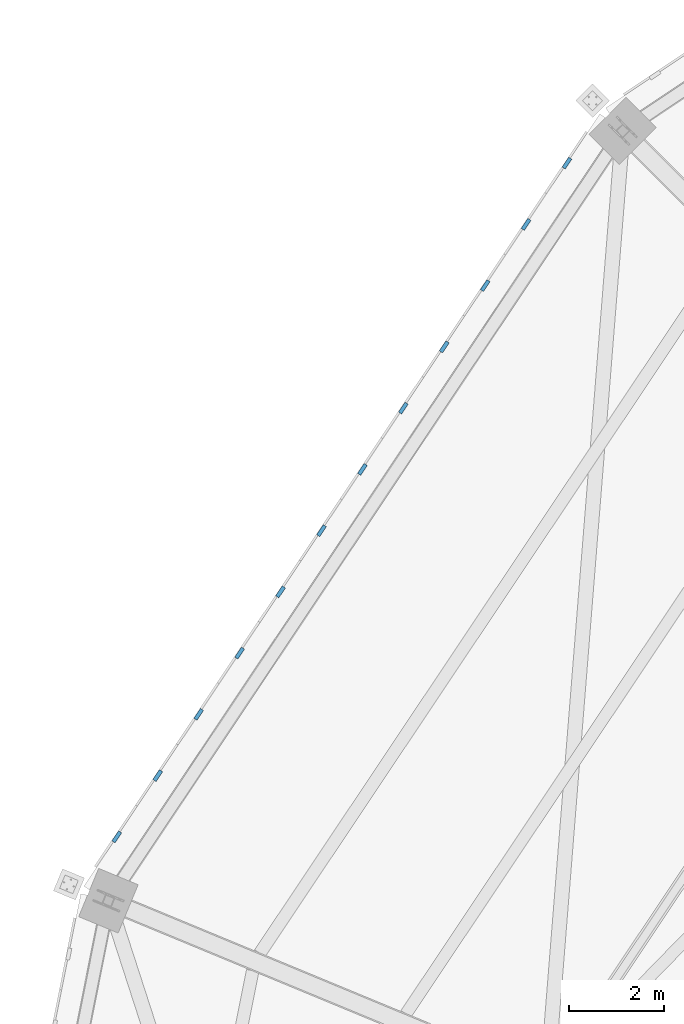
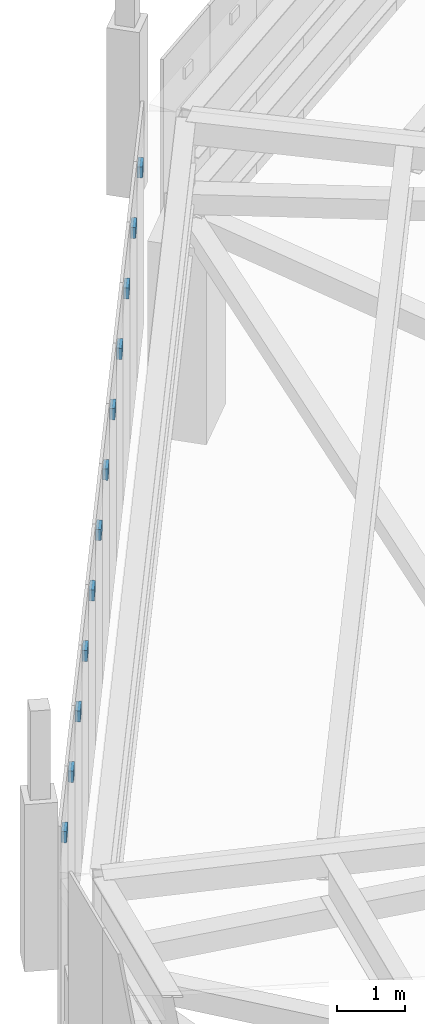
# One storey, part 218 of 278: 12 discrete accessories.
"""IFC4 building model written with IfcOpenShell, lengths in metres."""

from ifc_helpers import new_model, si_unit, direction, frame, origin, origin_2d, place, context, subcontext, project, spatial, rectangle, extrude, material, layer, layer_set, type_object, element, save


model = new_model("IFC4")

# Units and contexts
model_context = context("Model", 3, precision=1e-05, world=origin(), true_north=direction((0.0, 1.0)))
body_context = subcontext(model_context, "Body", "Model", "MODEL_VIEW")
ifc_project = project(units=[si_unit("LENGTHUNIT", "METRE"), si_unit("AREAUNIT", "SQUARE_METRE"), si_unit("VOLUMEUNIT", "CUBIC_METRE"), si_unit("PLANEANGLEUNIT", "RADIAN"), si_unit("MASSUNIT", "GRAM", prefix="KILO")], contexts=[model_context])

# Site, building, storey
site_placement = place(None, origin())
site = spatial("IfcSite", under=ifc_project, at=site_placement, CompositionType="ELEMENT")
building_placement = place(site_placement, origin())
building = spatial("IfcBuilding", under=site, at=building_placement, Name="Ogive Plaza Stadium", CompositionType="ELEMENT")
storey_placement = place(building_placement, frame((0.0, 0.0, 29.0)))
storey = spatial("IfcBuildingStorey", under=building, at=storey_placement, Name="Roof", CompositionType="ELEMENT", Elevation=29.0)

# Discrete accessories
ifc_material = material(Name="Steel ASTM A572 Grade 50", Category="steel")
ifc_layer = layer(ifc_material, 0.080078125)
ifc_layer_set = layer_set([ifc_layer], Name="Steel ASTM A572 Grade 50")
discrete_accessory_type = type_object("IfcDiscreteAccessoryType", Name="Tracery screen bracket 250x200", PredefinedType="BRACKET", material=ifc_layer_set)
for number, where, z_axis, x_axis, name in (
    (1, (-80.015869140625, 72.9794921875, 5.25), (0.0, 0.0, 1.0), (0.55557023302, 0.831469612303, 0.0), "TRACERY SCREEN BRACKET B29 1"),
    (2, (-79.153564453125, 74.270263671875, 5.25), (0.0, 0.0, 1.0), (0.55557023302, 0.831469612303, 0.0), "TRACERY SCREEN BRACKET B29 2"),
    (3, (-78.291259765625, 75.560791015625, 5.25), (0.0, 0.0, 1.0), (0.55557023302, 0.831469612303, 0.0), "TRACERY SCREEN BRACKET B29 3"),
    (4, (-77.428955078125, 76.851318359375, 5.25), (0.0, 0.0, 1.0), (0.55557023302, 0.831469612303, 0.0), "TRACERY SCREEN BRACKET B29 4"),
    (5, (-76.566650390625, 78.141845703125, 5.25), (0.0, 0.0, 1.0), (0.55557023302, 0.831469612303, 0.0), "TRACERY SCREEN BRACKET B29 5"),
    (6, (-75.704345703125, 79.4326171875, 5.25), (0.0, 0.0, 1.0), (0.55557023302, 0.831469612303, 0.0), "TRACERY SCREEN BRACKET B29 6"),
    (7, (-74.841796875, 80.72314453125, 5.25), (0.0, 0.0, 1.0), (0.55557023302, 0.831469612303, 0.0), "TRACERY SCREEN BRACKET B29 7"),
    (8, (-73.9794921875, 82.013671875, 5.25), (0.0, 0.0, 1.0), (0.55557023302, 0.831469612303, 0.0), "TRACERY SCREEN BRACKET B29 8"),
    (9, (-73.1171875, 83.30419921875, 5.25), (0.0, 0.0, 1.0), (0.55557023302, 0.831469612303, 0.0), "TRACERY SCREEN BRACKET B29 9"),
    (10, (-72.2548828125, 84.5947265625, 5.25), (0.0, 0.0, 1.0), (0.55557023302, 0.831469612303, 0.0), "TRACERY SCREEN BRACKET B29 10"),
    (11, (-71.392578125, 85.885498046875, 5.25), (0.0, 0.0, 1.0), (0.55557023302, 0.831469612303, 0.0), "TRACERY SCREEN BRACKET B29 11"),
    (12, (-70.5302734375, 87.176025390625, 5.25), (0.0, 0.0, 1.0), (0.55557023302, 0.831469612303, 0.0), "TRACERY SCREEN BRACKET B29 12"),
):
    element("IfcDiscreteAccessory", number, at=place(storey_placement, frame(where, z_axis=z_axis, x_axis=x_axis)), inside=storey, type_object=discrete_accessory_type, Name=name, PredefinedType="BRACKET", context=body_context, shape_type="SweptSolid", body=[
        extrude(rectangle(XDim=0.25, YDim=0.080078125, at=origin_2d()), origin(), (0.0, 0.0, 1.0), 0.199951171875),
    ])

save(model, "model.ifc")
